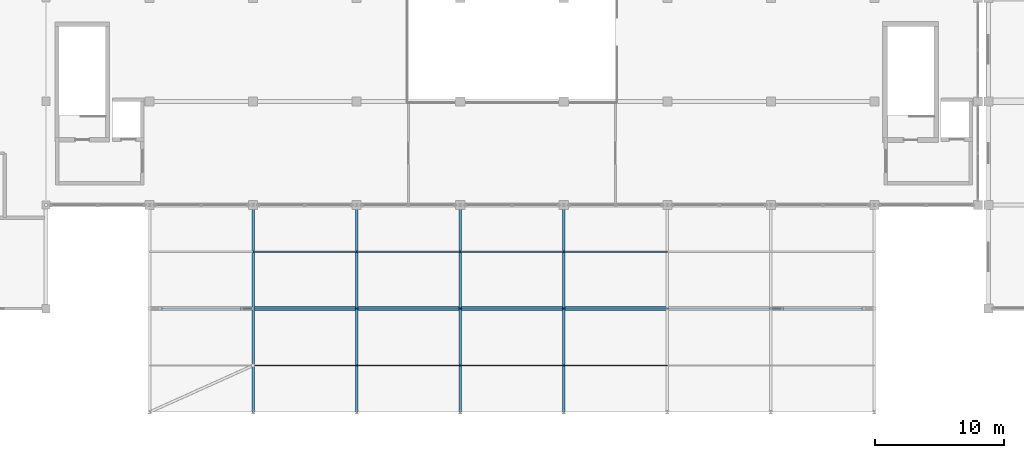
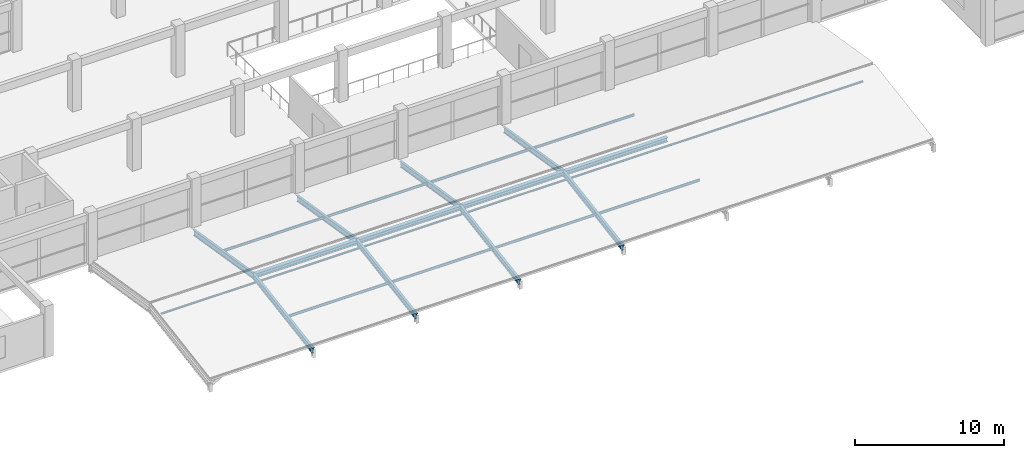
# One storey, part 10 of 67: 13 members, 8 beams.
"""IFC4 building model written with IfcOpenShell, lengths in metres."""

import ifcopenshell
import ifcopenshell.guid

model = None  # the IFC model being written
_history = None  # IfcOwnerHistory: only IFC2X3 demands one
_inside = {}  # id of a spatial element -> (the spatial element, [elements in it])
_under = {}  # id of a project, library or spatial element -> (it, [spatial elements below it])
_declared = {}  # id of a project -> (the project, [libraries it declares])
_typed = {}  # id of a type object -> (the type object, [elements of that type])
_made_of = {}  # id of a material, layer set ... -> (it, [elements and type objects made of it])


def new_model(schema):
    """Start an empty IFC model of exactly this schema.

    Asked for "IFC4X3", IfcOpenShell would pick the latest addendum, in which some entities
    have other attributes; the version numbers below select the first issue.
    IFC2X3 requires an IfcOwnerHistory on every rooted entity: one is made here for all.
    """
    global model, _history
    if schema == "IFC4X3":
        model = ifcopenshell.file(schema_version=(4, 3, 0, 0))
    else:
        model = ifcopenshell.file(schema=schema)
    _inside.clear()
    _under.clear()
    _declared.clear()
    _typed.clear()
    _made_of.clear()
    _history = None
    if model.schema == "IFC2X3":
        org = make("IfcOrganization", Name="unknown")
        user = make(
            "IfcPersonAndOrganization",
            ThePerson=make("IfcPerson", FamilyName="unknown"),
            TheOrganization=org,
        )
        app = make(
            "IfcApplication",
            ApplicationDeveloper=org,
            Version="unknown",
            ApplicationFullName="unknown",
            ApplicationIdentifier="unknown",
        )
        _history = make(
            "IfcOwnerHistory",
            OwningUser=user,
            OwningApplication=app,
            ChangeAction="ADDED",
            CreationDate=0,
        )
    return model


def make(cls, **values):
    """One entity of the class cls with the attributes given. An attribute that is None is left unset."""
    return model.create_entity(
        cls, **{name: value for name, value in values.items() if value is not None}
    )


def rooted(cls, **values):
    """An entity with a GlobalId (a new one), such as an element, a storey or a relation."""
    return make(cls, GlobalId=ifcopenshell.guid.new(), OwnerHistory=_history, **values)


def si_unit(unit_type, name, prefix=None):
    """IfcSIUnit, for example si_unit("LENGTHUNIT", "METRE", prefix="MILLI")."""
    return make("IfcSIUnit", UnitType=unit_type, Prefix=prefix, Name=name)


def assignment(units):
    """IfcUnitAssignment: the units of a project."""
    return None if units is None else make("IfcUnitAssignment", Units=units)


def point(xyz):
    """IfcCartesianPoint."""
    return None if xyz is None else make("IfcCartesianPoint", Coordinates=xyz)


def direction(xyz):
    """IfcDirection."""
    return None if xyz is None else make("IfcDirection", DirectionRatios=xyz)


def frame(location, z_axis=None, x_axis=None):
    """IfcAxis2Placement3D, a coordinate frame: its origin and axes. An axis left out is left unset."""
    return make(
        "IfcAxis2Placement3D",
        Location=point(location),
        Axis=direction(z_axis),
        RefDirection=direction(x_axis),
    )


def frame_2d(location, x_axis=None):
    """IfcAxis2Placement2D, a coordinate frame in the plane: its origin and x axis."""
    return make(
        "IfcAxis2Placement2D", Location=point(location), RefDirection=direction(x_axis)
    )


def origin():
    """The frame at (0, 0, 0) with its axes left unset."""
    return frame((0.0, 0.0, 0.0))


def origin_2d():
    """The frame at (0, 0) in the plane with its x axis left unset."""
    return frame_2d((0.0, 0.0))


def place(relative_to, where):
    """IfcLocalPlacement: puts the frame where relative to a parent placement (None: the world)."""
    return make(
        "IfcLocalPlacement", PlacementRelTo=relative_to, RelativePlacement=where
    )


def context(
    kind, dimensions, precision=None, world=None, true_north=None, identifier=None
):
    """IfcGeometricRepresentationContext, for example the 3D "Model" context."""
    return make(
        "IfcGeometricRepresentationContext",
        ContextIdentifier=identifier,
        ContextType=kind,
        CoordinateSpaceDimension=dimensions,
        Precision=precision,
        WorldCoordinateSystem=world,
        TrueNorth=true_north,
    )


def subcontext(parent, identifier, kind, view, scale=None):
    """IfcGeometricRepresentationSubContext, for example "Body" below "Model"."""
    return make(
        "IfcGeometricRepresentationSubContext",
        ContextIdentifier=identifier,
        ContextType=kind,
        ParentContext=parent,
        TargetScale=scale,
        TargetView=view,
    )


def project(units=None, contexts=None):
    """IfcProject with its units and contexts."""
    return rooted(
        "IfcProject",
        Name="project",
        RepresentationContexts=contexts,
        UnitsInContext=assignment(units),
    )


def spatial(cls, under=None, at=None, **own):
    """A site, building, storey or space (cls), placed at a placement, below another one or the project."""
    s = rooted(cls, ObjectPlacement=at, **own)
    if under is not None:
        _under.setdefault(under.id(), (under, []))[1].append(s)
    return s


def profile(cls, at=None, kind="AREA", **sizes):
    """A parametric profile (cls). Its sizes go by their IFC names, for example OverallWidth=200.0."""
    return make(cls, ProfileType=kind, Position=at, **sizes)


def hollow_circle(**sizes):
    """IfcCircleHollowProfileDef."""
    return profile("IfcCircleHollowProfileDef", **sizes)


def i_section(**sizes):
    """IfcIShapeProfileDef."""
    return profile("IfcIShapeProfileDef", **sizes)


def extrude(swept, where, along, depth):
    """IfcExtrudedAreaSolid: the profile swept, set in the frame where, extruded along a direction by depth."""
    return make(
        "IfcExtrudedAreaSolid",
        SweptArea=swept,
        Position=where,
        ExtrudedDirection=direction(along),
        Depth=depth,
    )


def shape(context_of_items, identifier, shape_type, items):
    """IfcShapeRepresentation: the items that make up one representation, for example the "Body"."""
    return make(
        "IfcShapeRepresentation",
        ContextOfItems=context_of_items,
        RepresentationIdentifier=identifier,
        RepresentationType=shape_type,
        Items=items,
    )


def material(Name=None, Category=None):
    """IfcMaterial."""
    return make("IfcMaterial", Name=Name, Category=Category)


def material_profile(
    of_material, cross_section, Name=None, Category=None, Priority=None
):
    """IfcMaterialProfile: a cross section and its material."""
    return make(
        "IfcMaterialProfile",
        Name=Name,
        Material=of_material,
        Profile=cross_section,
        Priority=Priority,
        Category=Category,
    )


def profile_set(profiles, Name=None, composite=None):
    """IfcMaterialProfileSet."""
    return make(
        "IfcMaterialProfileSet",
        Name=Name,
        MaterialProfiles=profiles,
        CompositeProfile=composite,
    )


def made_of(thing, what):
    """Note that an element or type object is made of a material, layer set ...; save() writes the relation."""
    if what is not None:
        _made_of.setdefault(what.id(), (what, []))[1].append(thing)
    return thing


def type_object(cls, material=None, **own):
    """A type object (cls), such as IfcWallType, which elements share."""
    return made_of(rooted(cls, **own), material)


def element(
    cls,
    number,
    at=None,
    inside=None,
    cuts=None,
    type_object=None,
    material=None,
    context=None,
    identifier="Body",
    shape_type=None,
    held_by="IfcProductDefinitionShape",
    body=None,
    shapes=None,
    **own,
):
    """One element of the class cls, such as IfcWall. Its Tag is "e" and its number.

    at: its placement. inside: the storey or other place that contains it. cuts: it is an
    opening in that element (IfcRelVoidsElement). A single representation is given by context,
    identifier, shape_type and body (its items); several are given by shapes. held_by: the class
    of the entity that holds the representations. save() writes the other relations.
    """
    e = rooted(cls, Tag="e%d" % number, ObjectPlacement=at, **own)
    if body is not None:
        shapes = [shape(context, identifier, shape_type, body)]
    if shapes is not None:
        e.Representation = make(held_by, Representations=shapes)
    if inside is not None:
        _inside.setdefault(inside.id(), (inside, []))[1].append(e)
    if cuts is not None:
        rooted(
            "IfcRelVoidsElement", RelatingBuildingElement=cuts, RelatedOpeningElement=e
        )
    if type_object is not None:
        _typed.setdefault(type_object.id(), (type_object, []))[1].append(e)
    return made_of(e, material)


def aggregate(whole, parts):
    """IfcRelAggregates: a whole, such as a stair, and the parts it consists of."""
    return rooted("IfcRelAggregates", RelatingObject=whole, RelatedObjects=parts)


def save(model, path):
    """Write the relations noted so far, then the file.

    IfcRelAggregates (storeys below a building ...), IfcRelContainedInSpatialStructure (elements
    in a storey), IfcRelDefinesByType, IfcRelAssociatesMaterial and IfcRelDeclares: one each for
    every whole, place, type object, material and project.
    """
    for whole, parts in _under.values():
        aggregate(whole, parts)
    for where, things in _inside.values():
        rooted(
            "IfcRelContainedInSpatialStructure",
            RelatedElements=things,
            RelatingStructure=where,
        )
    for kind, things in _typed.values():
        rooted("IfcRelDefinesByType", RelatedObjects=things, RelatingType=kind)
    for what, things in _made_of.values():
        rooted("IfcRelAssociatesMaterial", RelatedObjects=things, RelatingMaterial=what)
    for by, libraries in _declared.values():
        rooted("IfcRelDeclares", RelatingContext=by, RelatedDefinitions=libraries)
    model.write(path)


model = new_model("IFC4")

# Units and contexts
model_context = context("Model", 3, precision=1e-05, world=origin(), true_north=direction((0.0, 1.0)))
body_context = subcontext(model_context, "Body", "Model", "MODEL_VIEW")
ifc_project = project(units=[si_unit("LENGTHUNIT", "METRE"), si_unit("AREAUNIT", "SQUARE_METRE"), si_unit("VOLUMEUNIT", "CUBIC_METRE"), si_unit("PLANEANGLEUNIT", "RADIAN"), si_unit("MASSUNIT", "GRAM", prefix="KILO")], contexts=[model_context])

# Site, building, storey
site_placement = place(None, origin())
site = spatial("IfcSite", under=ifc_project, at=site_placement, CompositionType="ELEMENT")
building_placement = place(site_placement, origin())
building = spatial("IfcBuilding", under=site, at=building_placement, Name="Kenh Van Central Station", CompositionType="ELEMENT")
storey_placement = place(building_placement, frame((0.0, 0.0, 10.800048828125)))
storey = spatial("IfcBuildingStorey", under=building, at=storey_placement, Name="L02", CompositionType="ELEMENT", Elevation=10.800048828125)

# Beams
ifc_material = material(Name="Steel S355", Category="steel")
ifc_material_profile_1 = material_profile(ifc_material, i_section(OverallWidth=0.18994140625, OverallDepth=0.449951171875, WebThickness=0.009521484375, FlangeThickness=0.0146484375, FilletRadius=0.02099609375, at=origin_2d()), Name="IPE 450")
ifc_profile_set_1 = profile_set([ifc_material_profile_1], Name="Steel S355")
beam_type = type_object("IfcBeamType", Name="BM-STL-IPE450", PredefinedType="BEAM", material=ifc_profile_set_1)
for number, where, z_axis, x_axis, name in (
    (1, (64.0, 0.0, -0.4453125), (0.0, 0.987051780814, 0.160401938868), (-1.0, 0.0, 0.0), "L02 roof rafter 010"),
    (2, (64.0, 8.0, 0.854736328125), (0.0, 0.987051780814, -0.160401938868), (-1.0, 0.0, 0.0), "L02 roof rafter 011"),
    (3, (72.0, 0.0, -0.4453125), (0.0, 0.987051780814, 0.160401938868), (-1.0, 0.0, 0.0), "L02 roof rafter 012"),
    (4, (72.0, 8.0, 0.854736328125), (0.0, 0.987051780814, -0.160401938868), (-1.0, 0.0, 0.0), "L02 roof rafter 013"),
    (5, (80.0, 0.0, -0.4453125), (0.0, 0.987051780814, 0.160401938868), (-1.0, 0.0, 0.0), "L02 roof rafter 014"),
    (6, (80.0, 8.0, 0.854736328125), (0.0, 0.987051780814, -0.160401938868), (-1.0, 0.0, 0.0), "L02 roof rafter 015"),
    (7, (88.0, 0.0, -0.4453125), (0.0, 0.987051780814, 0.160401938868), (-1.0, 0.0, 0.0), "L02 roof rafter 016"),
    (8, (88.0, 8.0, 0.854736328125), (0.0, 0.987051780814, -0.160401938868), (-1.0, 0.0, 0.0), "L02 roof rafter 017"),
):
    element("IfcBeam", number, at=place(storey_placement, frame(where, z_axis=z_axis, x_axis=x_axis)), inside=storey, type_object=beam_type, Name=name, PredefinedType="BEAM", context=body_context, shape_type="SweptSolid", body=[
        extrude(i_section(OverallWidth=0.18994140625, OverallDepth=0.449951171875, WebThickness=0.009521484375, FlangeThickness=0.0146484375, FilletRadius=0.02099609375, at=origin_2d()), origin(), (0.0, 0.0, 1.0), 8.10498046875),
    ])

# Members
ifc_material_profile_2 = material_profile(ifc_material, i_section(OverallWidth=0.10009765625, OverallDepth=0.199951171875, WebThickness=0.005615234375, FlangeThickness=0.008544921875, FilletRadius=0.011962890625, at=origin_2d()), Name="IPE 200")
ifc_profile_set_2 = profile_set([ifc_material_profile_2], Name="Steel S355")
member_type_1 = type_object("IfcMemberType", Name="MEM-PUR-IPE200", PredefinedType="PURLIN", material=ifc_profile_set_2)
for number, where, z_axis, x_axis, name in (
    (9, (64.0, 3.60009765625, 0.1396484375), (1.0, 0.0, 0.0), (0.0, 1.0, 0.0), "L02 roof purlin 002"),
    (10, (72.0, 3.60009765625, 0.1396484375), (1.0, 0.0, 0.0), (0.0, 1.0, 0.0), "L02 roof purlin 003"),
    (11, (80.0, 3.60009765625, 0.1396484375), (1.0, 0.0, 0.0), (0.0, 1.0, 0.0), "L02 roof purlin 004"),
    (12, (88.0, 3.60009765625, 0.1396484375), (1.0, 0.0, 0.0), (0.0, 1.0, 0.0), "L02 roof purlin 005"),
    (13, (64.0, 12.39990234375, 0.1396484375), (1.0, 0.0, 0.0), (0.0, 1.0, 0.0), "L02 roof purlin 009"),
    (14, (72.0, 12.39990234375, 0.1396484375), (1.0, 0.0, 0.0), (0.0, 1.0, 0.0), "L02 roof purlin 010"),
    (15, (80.0, 12.39990234375, 0.1396484375), (1.0, 0.0, 0.0), (0.0, 1.0, 0.0), "L02 roof purlin 011"),
    (16, (88.0, 12.39990234375, 0.1396484375), (1.0, 0.0, 0.0), (0.0, 1.0, 0.0), "L02 roof purlin 012"),
):
    element("IfcMember", number, at=place(storey_placement, frame(where, z_axis=z_axis, x_axis=x_axis)), inside=storey, type_object=member_type_1, Name=name, PredefinedType="PURLIN", context=body_context, shape_type="SweptSolid", body=[
        extrude(i_section(OverallWidth=0.10009765625, OverallDepth=0.199951171875, WebThickness=0.005615234375, FlangeThickness=0.008544921875, FilletRadius=0.011962890625, at=origin_2d()), origin(), (0.0, 0.0, 1.0), 8.0),
    ])
ifc_material_profile_3 = material_profile(ifc_material, hollow_circle(Radius=0.084228515625, WallThickness=0.008056640625, at=origin_2d()), Name="CHS 168.3x8")
ifc_profile_set_3 = profile_set([ifc_material_profile_3], Name="Steel S355")
member_type_2 = type_object("IfcMemberType", Name="MEM-ROOF-BRC168", PredefinedType="BRACE", material=ifc_profile_set_3)
member_placement = place(storey_placement, frame((56.85009765625, 8.0, 0.23486328125), z_axis=(1.0, 0.0, 0.0), x_axis=(0.0, 1.0, 0.0)))
element("IfcMember", 17, at=member_placement, inside=storey, type_object=member_type_2, Name="L02 roof truss lower chord 002", PredefinedType="BRACE", context=body_context, shape_type="SweptSolid", body=[
    extrude(hollow_circle(Radius=0.084228515625, WallThickness=0.008056640625, at=origin_2d()), origin(), (0.0, 0.0, 1.0), 54.2998046875),
])
ifc_material_profile_4 = material_profile(ifc_material, i_section(OverallWidth=0.300048828125, OverallDepth=0.35009765625, WebThickness=0.010009765625, FlangeThickness=0.017578125, FilletRadius=0.027099609375, at=origin_2d()), Name="HEA 360")
ifc_profile_set_4 = profile_set([ifc_material_profile_4], Name="Steel S355")
member_type_3 = type_object("IfcMemberType", Name="MEM-ROOF-HEA360", PredefinedType="CHORD", material=ifc_profile_set_4)
for number, where, z_axis, x_axis, name in (
    (18, (64.0, 8.0, 0.854736328125), (1.0, 0.0, 0.0), (0.0, 1.0, 0.0), "L02 roof ridge chord 002"),
    (19, (72.0, 8.0, 0.854736328125), (1.0, 0.0, 0.0), (0.0, 1.0, 0.0), "L02 roof ridge chord 003"),
    (20, (80.0, 8.0, 0.854736328125), (1.0, 0.0, 0.0), (0.0, 1.0, 0.0), "L02 roof ridge chord 004"),
    (21, (88.0, 8.0, 0.854736328125), (1.0, 0.0, 0.0), (0.0, 1.0, 0.0), "L02 roof ridge chord 005"),
):
    element("IfcMember", number, at=place(storey_placement, frame(where, z_axis=z_axis, x_axis=x_axis)), inside=storey, type_object=member_type_3, Name=name, PredefinedType="CHORD", context=body_context, shape_type="SweptSolid", body=[
        extrude(i_section(OverallWidth=0.300048828125, OverallDepth=0.35009765625, WebThickness=0.010009765625, FlangeThickness=0.017578125, FilletRadius=0.027099609375, at=origin_2d()), origin(), (0.0, 0.0, 1.0), 8.0),
    ])

save(model, "model.ifc")
